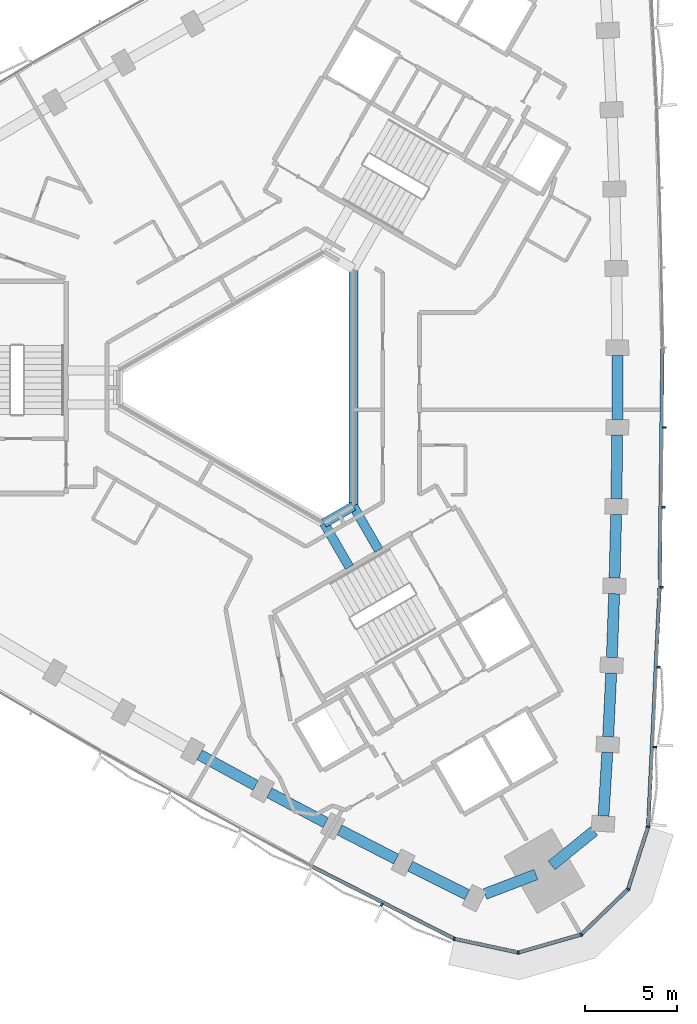
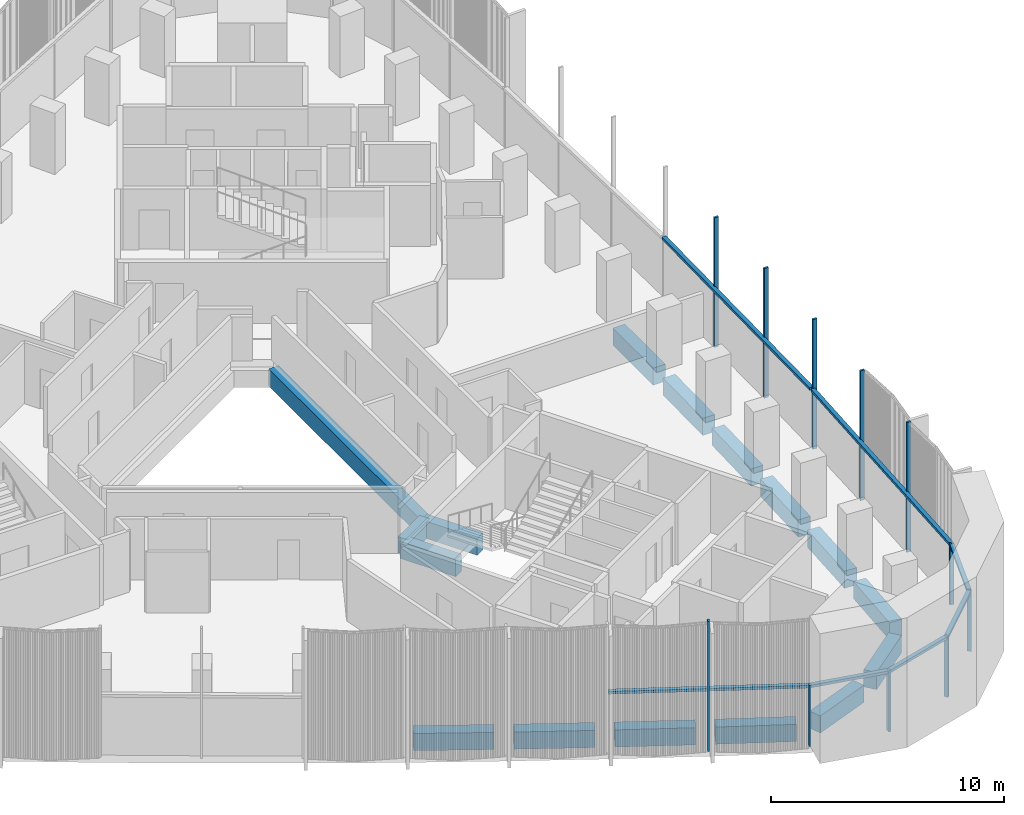
# One storey, part 3 of 14: 18 members, 16 beams, 2 elements without a shape of their own.
"""IFC4 building model written with IfcOpenShell, lengths in metres."""

from ifc_helpers import new_model, si_unit, direction, frame, origin, origin_2d, place, context, subcontext, project, spatial, rectangle, extrude, material, material_profile, profile_set, type_object, element, aggregate, save


model = new_model("IFC4")

# Units and contexts
model_context = context("Model", 3, precision=1e-05, world=origin(), true_north=direction((0.0, 1.0)))
body_context = subcontext(model_context, "Body", "Model", "MODEL_VIEW")
ifc_project = project(units=[si_unit("LENGTHUNIT", "METRE"), si_unit("AREAUNIT", "SQUARE_METRE"), si_unit("VOLUMEUNIT", "CUBIC_METRE"), si_unit("PLANEANGLEUNIT", "RADIAN"), si_unit("MASSUNIT", "GRAM", prefix="KILO")], contexts=[model_context])

# Site, building, storey
site_placement = place(None, origin())
site = spatial("IfcSite", under=ifc_project, at=site_placement, CompositionType="ELEMENT")
building_placement = place(site_placement, origin())
building = spatial("IfcBuilding", under=site, at=building_placement, Name="Tamra Quay Hotel Tower", CompositionType="ELEMENT")
storey_placement = place(building_placement, frame((0.0, 0.0, 150.39990234375)))
storey = spatial("IfcBuildingStorey", under=building, at=storey_placement, Name="L37", CompositionType="ELEMENT", Elevation=150.39990234375)

# Beams
ifc_material_1 = material(Name="Concrete M60", Category="concrete")
ifc_material_profile_1 = material_profile(ifc_material_1, rectangle(XDim=0.5, YDim=0.89990234375, at=origin_2d()), Name="ATRIUM EDGE BEAM RC 500x900")
ifc_profile_set_1 = profile_set([ifc_material_profile_1], Name="Concrete M60")
beam_type_1 = type_object("IfcBeamType", Name="ATRIUM EDGE BEAM RC 500x900", PredefinedType="BEAM", material=ifc_profile_set_1)
beam_1_placement = place(storey_placement, frame((4.800048828125, 6.46630859375, -0.849853515625), z_axis=(0.0, -1.0, 0.0), x_axis=(1.0, 0.0, 0.0)))
element("IfcBeam", 1, at=beam_1_placement, inside=storey, type_object=beam_type_1, Name="BM-AB0-L37", PredefinedType="BEAM", context=body_context, shape_type="SweptSolid", body=[
    extrude(rectangle(XDim=0.5, YDim=0.89990234375, at=origin_2d()), origin(), (0.0, 0.0, 1.0), 12.9326171875),
])
beam_2_placement = place(storey_placement, frame((4.800048828125, -6.46630859375, -0.849853515625), z_axis=(-0.86602275259, -0.500004591975, 0.0), x_axis=(0.500004591975, -0.86602275259, 0.0)))
element("IfcBeam", 2, at=beam_2_placement, inside=storey, type_object=beam_type_1, Name="BM-AB1-L37", PredefinedType="BEAM", context=body_context, shape_type="SweptSolid", body=[
    extrude(rectangle(XDim=0.5, YDim=0.89990234375, at=origin_2d()), origin(), (0.0, 0.0, 1.0), 1.84765625),
])
ifc_material_profile_2 = material_profile(ifc_material_1, rectangle(XDim=0.5, YDim=0.89990234375, at=origin_2d()), Name="ATRIUM TIE BEAM RC 500x900")
ifc_profile_set_2 = profile_set([ifc_material_profile_2], Name="Concrete M60")
beam_type_2 = type_object("IfcBeamType", Name="ATRIUM TIE BEAM RC 500x900", PredefinedType="BEAM", material=ifc_profile_set_2)
for number, where, z_axis, x_axis, name in (
    (3, (4.800048828125, -6.46630859375, -0.849853515625), (0.500008091576, -0.86602073206, 0.0), (0.86602073206, 0.500008091576, 0.0), "BM-TIE-1-L37"),
    (4, (3.199951171875, -7.39013671875, -0.849853515625), (0.500008091576, -0.86602073206, 0.0), (0.86602073206, 0.500008091576, 0.0), "BM-TIE-2-L37"),
):
    element("IfcBeam", number, at=place(storey_placement, frame(where, z_axis=z_axis, x_axis=x_axis)), inside=storey, type_object=beam_type_2, Name=name, PredefinedType="BEAM", context=body_context, shape_type="SweptSolid", body=[
        extrude(rectangle(XDim=0.5, YDim=0.89990234375, at=origin_2d()), origin(), (0.0, 0.0, 1.0), 2.76220703125),
    ])

# Curtain wall, members
ifc_material_2 = material(Name="Aluminium 6063 anodised dark grey", Category="aluminium")
curtain_wall_type_1 = type_object("IfcCurtainWallType", Name="CW1 CURTAIN WALL", PredefinedType="NOTDEFINED", material=ifc_material_2)
curtain_wall_1_placement = place(storey_placement, origin())
curtain_wall_1 = element("IfcCurtainWall", 5, at=curtain_wall_1_placement, inside=storey, type_object=curtain_wall_type_1, Name="CW1 east face L37", PredefinedType="NOTDEFINED")
ifc_material_profile_3 = material_profile(ifc_material_2, rectangle(XDim=0.199951171875, YDim=0.10009765625, at=origin_2d()), Name="MULLION 100X200")
ifc_profile_set_3 = profile_set([ifc_material_profile_3], Name="Aluminium 6063 anodised dark grey")
member_type_1 = type_object("IfcMemberType", Name="MULLION CW1 Z3", PredefinedType="MULLION", material=ifc_profile_set_3)
member_1_placement = place(storey_placement, frame((20.852294921875, -23.918212890625, 0.0), z_axis=(0.0, 0.0, 1.0), x_axis=(0.982883217826, -0.184229693905, 0.0)))
member_1 = element("IfcMember", 6, at=member_1_placement, type_object=member_type_1, Name="CW1 mullion L37.E.1", PredefinedType="MULLION", context=body_context, shape_type="SweptSolid", body=[
    extrude(rectangle(XDim=0.199951171875, YDim=0.10009765625, at=origin_2d()), origin(), (0.0, 0.0, 1.0), 3.2001953125),
])
member_2_placement = place(storey_placement, frame((21.211669921875, -19.57958984375, 0.0), z_axis=(0.0, 0.0, 1.0), x_axis=(0.99855735675, -0.053695486602, 0.0)))
member_2 = element("IfcMember", 7, at=member_2_placement, type_object=member_type_1, Name="CW1 mullion L37.E.2", PredefinedType="MULLION", context=body_context, shape_type="SweptSolid", body=[
    extrude(rectangle(XDim=0.199951171875, YDim=0.10009765625, at=origin_2d()), origin(), (0.0, 0.0, 1.0), 6.800048828125),
])
member_3_placement = place(storey_placement, frame((21.41943359375, -15.232421875, 0.0), z_axis=(0.0, 0.0, 1.0), x_axis=(0.99912611643, -0.041797170557, 0.0)))
member_3 = element("IfcMember", 8, at=member_3_placement, type_object=member_type_1, Name="CW1 mullion L37.E.3", PredefinedType="MULLION", context=body_context, shape_type="SweptSolid", body=[
    extrude(rectangle(XDim=0.199951171875, YDim=0.10009765625, at=origin_2d()), origin(), (0.0, 0.0, 1.0), 6.800048828125),
])
member_4_placement = place(storey_placement, frame((21.575439453125, -10.88134765625, 0.0), z_axis=(0.0, 0.0, 1.0), x_axis=(0.999553757047, -0.029871169599, 0.0)))
member_4 = element("IfcMember", 9, at=member_4_placement, type_object=member_type_1, Name="CW1 mullion L37.E.4", PredefinedType="MULLION", context=body_context, shape_type="SweptSolid", body=[
    extrude(rectangle(XDim=0.199951171875, YDim=0.10009765625, at=origin_2d()), origin(), (0.0, 0.0, 1.0), 6.800048828125),
])
member_5_placement = place(storey_placement, frame((21.679443359375, -6.52880859375, 0.0), z_axis=(0.0, 0.0, 1.0), x_axis=(0.999839304234, -0.017926675875, 0.0)))
member_5 = element("IfcMember", 10, at=member_5_placement, type_object=member_type_1, Name="CW1 mullion L37.E.5", PredefinedType="MULLION", context=body_context, shape_type="SweptSolid", body=[
    extrude(rectangle(XDim=0.199951171875, YDim=0.10009765625, at=origin_2d()), origin(), (0.0, 0.0, 1.0), 6.800048828125),
])
member_6_placement = place(storey_placement, frame((21.7314453125, -2.177001953125, 0.0), z_axis=(0.0, 0.0, 1.0), x_axis=(0.999982128389, -0.005978536749, 0.0)))
member_6 = element("IfcMember", 11, at=member_6_placement, type_object=member_type_1, Name="CW1 mullion L37.E.6", PredefinedType="MULLION", context=body_context, shape_type="SweptSolid", body=[
    extrude(rectangle(XDim=0.199951171875, YDim=0.10009765625, at=origin_2d()), origin(), (0.0, 0.0, 1.0), 6.800048828125),
])

curtain_wall_type_2 = type_object("IfcCurtainWallType", Name="CW3 CURTAIN WALL", PredefinedType="NOTDEFINED", material=ifc_material_2)
curtain_wall_2_placement = place(storey_placement, origin())
curtain_wall_2 = element("IfcCurtainWall", 12, at=curtain_wall_2_placement, inside=storey, type_object=curtain_wall_type_2, Name="CW3 south-west face L37", PredefinedType="NOTDEFINED")
ifc_material_profile_4 = material_profile(ifc_material_2, rectangle(XDim=0.199951171875, YDim=0.10009765625, at=origin_2d()), Name="MULLION 100X200")
ifc_profile_set_4 = profile_set([ifc_material_profile_4], Name="Aluminium 6063 anodised dark grey")
member_type_2 = type_object("IfcMemberType", Name="MULLION CW3 Z3", PredefinedType="MULLION", material=ifc_profile_set_4)
member_7_placement = place(storey_placement, frame((6.3505859375, -28.15966796875, 0.0), z_axis=(0.0, 0.0, 1.0), x_axis=(-0.452777022909, -0.891623781382, 0.0)))
member_7 = element("IfcMember", 13, at=member_7_placement, type_object=member_type_2, Name="CW3 mullion L37.SW.11", PredefinedType="MULLION", context=body_context, shape_type="SweptSolid", body=[
    extrude(rectangle(XDim=0.199951171875, YDim=0.10009765625, at=origin_2d()), origin(), (0.0, 0.0, 1.0), 6.800048828125),
])
member_8_placement = place(storey_placement, frame((10.28759765625, -30.017578125, 0.0), z_axis=(0.0, 0.0, 1.0), x_axis=(-0.33189401386, -0.943316682543, 0.0)))
member_8 = element("IfcMember", 14, at=member_8_placement, type_object=member_type_2, Name="CW3 mullion L37.SW.12", PredefinedType="MULLION", context=body_context, shape_type="SweptSolid", body=[
    extrude(rectangle(XDim=0.199951171875, YDim=0.10009765625, at=origin_2d()), origin(), (0.0, 0.0, 1.0), 3.2001953125),
])
member_9_placement = place(storey_placement, frame((13.772216796875, -30.770263671875, 0.0), z_axis=(0.0, 0.0, 1.0), x_axis=(0.032727311619, -0.99946431806, 0.0)))
member_9 = element("IfcMember", 15, at=member_9_placement, type_object=member_type_2, Name="CW3 mullion L37.SW.13", PredefinedType="MULLION", context=body_context, shape_type="SweptSolid", body=[
    extrude(rectangle(XDim=0.199951171875, YDim=0.10009765625, at=origin_2d()), origin(), (0.0, 0.0, 1.0), 3.2001953125),
])
member_10_placement = place(storey_placement, frame((17.199951171875, -29.791259765625, 0.0), z_axis=(0.0, 0.0, 1.0), x_axis=(0.5, -0.866025403784, 0.0)))
member_10 = element("IfcMember", 16, at=member_10_placement, type_object=member_type_2, Name="CW3 mullion L37.SW.14", PredefinedType="MULLION", context=body_context, shape_type="SweptSolid", body=[
    extrude(rectangle(XDim=0.199951171875, YDim=0.10009765625, at=origin_2d()), origin(), (0.0, 0.0, 1.0), 3.2001953125),
])
member_11_placement = place(storey_placement, frame((19.76171875, -27.312255859375, 0.0), z_axis=(0.0, 0.0, 1.0), x_axis=(0.849197833806, -0.52807484229, 0.0)))
member_11 = element("IfcMember", 17, at=member_11_placement, type_object=member_type_2, Name="CW3 mullion L37.SW.15", PredefinedType="MULLION", context=body_context, shape_type="SweptSolid", body=[
    extrude(rectangle(XDim=0.199951171875, YDim=0.10009765625, at=origin_2d()), origin(), (0.0, 0.0, 1.0), 3.2001953125),
])

# Beams
ifc_material_profile_5 = material_profile(ifc_material_1, rectangle(XDim=0.60009765625, YDim=0.89990234375, at=origin_2d()), Name="SPANDREL BEAM RC 600x900")
ifc_profile_set_5 = profile_set([ifc_material_profile_5], Name="Concrete M60")
beam_type_3 = type_object("IfcBeamType", Name="SPANDREL BEAM RC 600x900", PredefinedType="SPANDREL", material=ifc_profile_set_5)
beam_3_placement = place(storey_placement, frame((18.422119140625, -23.3330078125, -0.849853515625), z_axis=(0.059620475238, 0.998221117254, 0.0), x_axis=(-0.998221117254, 0.059620475238, 0.0)))
element("IfcBeam", 18, at=beam_3_placement, inside=storey, type_object=beam_type_3, Name="BM-SP3-000-L37", PredefinedType="SPANDREL", context=body_context, shape_type="SweptSolid", body=[
    extrude(rectangle(XDim=0.60009765625, YDim=0.89990234375, at=origin_2d()), origin(), (0.0, 0.0, 1.0), 3.472412109375),
])
beam_4_placement = place(storey_placement, frame((18.6748046875, -19.017822265625, -0.849853515625), z_axis=(0.047732145575, 0.998860171535, 0.0), x_axis=(-0.998860171535, 0.047732145575, 0.0)))
element("IfcBeam", 19, at=beam_4_placement, inside=storey, type_object=beam_type_3, Name="BM-SP3-001-L37", PredefinedType="SPANDREL", context=body_context, shape_type="SweptSolid", body=[
    extrude(rectangle(XDim=0.60009765625, YDim=0.89990234375, at=origin_2d()), origin(), (0.0, 0.0, 1.0), 3.472900390625),
])
beam_5_placement = place(storey_placement, frame((18.876220703125, -14.69970703125, -0.849853515625), z_axis=(0.035786826945, 0.999359446354, 0.0), x_axis=(-0.999359446354, 0.035786826945, 0.0)))
element("IfcBeam", 20, at=beam_5_placement, inside=storey, type_object=beam_type_3, Name="BM-SP3-002-L37", PredefinedType="SPANDREL", context=body_context, shape_type="SweptSolid", body=[
    extrude(rectangle(XDim=0.60009765625, YDim=0.89990234375, at=origin_2d()), origin(), (0.0, 0.0, 1.0), 3.472412109375),
])
beam_6_placement = place(storey_placement, frame((19.02587890625, -10.3798828125, -0.849853515625), z_axis=(0.023906514803, 0.999714198434, 0.0), x_axis=(-0.999714198434, 0.023906514803, 0.0)))
element("IfcBeam", 21, at=beam_6_placement, inside=storey, type_object=beam_type_3, Name="BM-SP3-003-L37", PredefinedType="SPANDREL", context=body_context, shape_type="SweptSolid", body=[
    extrude(rectangle(XDim=0.60009765625, YDim=0.89990234375, at=origin_2d()), origin(), (0.0, 0.0, 1.0), 3.47216796875),
])
beam_7_placement = place(storey_placement, frame((19.124267578125, -6.05859375, -0.849853515625), z_axis=(0.011951617666, 0.999928576867, 0.0), x_axis=(-0.999928576867, 0.011951617666, 0.0)))
element("IfcBeam", 22, at=beam_7_placement, inside=storey, type_object=beam_type_3, Name="BM-SP3-004-L37", PredefinedType="SPANDREL", context=body_context, shape_type="SweptSolid", body=[
    extrude(rectangle(XDim=0.60009765625, YDim=0.89990234375, at=origin_2d()), origin(), (0.0, 0.0, 1.0), 3.47265625),
])
beam_8_placement = place(storey_placement, frame((19.1708984375, -1.736083984375, -0.849853515625), z_axis=(0.0, 1.0, 0.0), x_axis=(-1.0, 0.0, 0.0)))
element("IfcBeam", 23, at=beam_8_placement, inside=storey, type_object=beam_type_3, Name="BM-SP3-005-L37", PredefinedType="SPANDREL", context=body_context, shape_type="SweptSolid", body=[
    extrude(rectangle(XDim=0.60009765625, YDim=0.89990234375, at=origin_2d()), origin(), (0.0, 0.0, 1.0), 3.47216796875),
])
for number, where, z_axis, x_axis, name in (
    (24, (-3.571533203125, -20.003173828125, -0.849853515625), (0.877731617539, -0.479152593202, 0.0), (0.479152593202, 0.877731617539, 0.0), "BM-SP3-033-L37"),
    (25, (0.224609375, -22.06982421875, -0.849853515625), (0.883411391477, -0.468598243071, 0.0), (0.468598243071, 0.883411391477, 0.0), "BM-SP3-034-L37"),
):
    element("IfcBeam", number, at=place(storey_placement, frame(where, z_axis=z_axis, x_axis=x_axis)), inside=storey, type_object=beam_type_3, Name=name, PredefinedType="SPANDREL", context=body_context, shape_type="SweptSolid", body=[
        extrude(rectangle(XDim=0.60009765625, YDim=0.89990234375, at=origin_2d()), origin(), (0.0, 0.0, 1.0), 3.472412109375),
    ])
beam_9_placement = place(storey_placement, frame((4.04541015625, -24.0908203125, -0.849853515625), z_axis=(0.888919913451, -0.458062645792, 0.0), x_axis=(0.458062645792, 0.888919913451, 0.0)))
element("IfcBeam", 26, at=beam_9_placement, inside=storey, type_object=beam_type_3, Name="BM-SP3-035-L37", PredefinedType="SPANDREL", context=body_context, shape_type="SweptSolid", body=[
    extrude(rectangle(XDim=0.60009765625, YDim=0.89990234375, at=origin_2d()), origin(), (0.0, 0.0, 1.0), 3.472900390625),
])
beam_10_placement = place(storey_placement, frame((7.890380859375, -26.066650390625, -0.849853515625), z_axis=(0.894314670292, -0.447438566174, 0.0), x_axis=(0.447438566174, 0.894314670292, 0.0)))
element("IfcBeam", 27, at=beam_10_placement, inside=storey, type_object=beam_type_3, Name="BM-SP3-036-L37", PredefinedType="SPANDREL", context=body_context, shape_type="SweptSolid", body=[
    extrude(rectangle(XDim=0.60009765625, YDim=0.89990234375, at=origin_2d()), origin(), (0.0, 0.0, 1.0), 3.472412109375),
])
beam_11_placement = place(storey_placement, frame((11.960693359375, -27.586181640625, -0.849853515625), z_axis=(0.933527198951, 0.358506581278, 0.0), x_axis=(-0.358506581278, 0.933527198951, 0.0)))
element("IfcBeam", 28, at=beam_11_placement, inside=storey, type_object=beam_type_3, Name="BM-SP3-037-L37", PredefinedType="SPANDREL", context=body_context, shape_type="SweptSolid", body=[
    extrude(rectangle(XDim=0.60009765625, YDim=0.89990234375, at=origin_2d()), origin(), (0.0, 0.0, 1.0), 2.97802734375),
])
beam_12_placement = place(storey_placement, frame((15.595703125, -26.02490234375, -0.849853515625), z_axis=(0.777183767602, 0.629273701482, 0.0), x_axis=(-0.629273701482, 0.777183767602, 0.0)))
element("IfcBeam", 29, at=beam_12_placement, inside=storey, type_object=beam_type_3, Name="BM-SP3-038-L37", PredefinedType="SPANDREL", context=body_context, shape_type="SweptSolid", body=[
    extrude(rectangle(XDim=0.60009765625, YDim=0.89990234375, at=origin_2d()), origin(), (0.0, 0.0, 1.0), 2.977783203125),
])

# Member
ifc_material_profile_6 = material_profile(ifc_material_2, rectangle(XDim=0.199951171875, YDim=0.139892578125, at=origin_2d()), Name="TRANSOM 200X140")
ifc_profile_set_6 = profile_set([ifc_material_profile_6], Name="Aluminium 6063 anodised dark grey")
member_type_3 = type_object("IfcMemberType", Name="TRANSOM CW1 Z3", PredefinedType="USERDEFINED", material=ifc_profile_set_6)
member_12_placement = place(storey_placement, frame((20.855224609375, -23.868408203125, 3.130126953125), z_axis=(0.047736167082, 0.998859979353, 0.0), x_axis=(-0.998859979353, 0.047736167082, 0.0)))
member_12 = element("IfcMember", 30, at=member_12_placement, type_object=member_type_3, Name="CW1 transom L37.E.1", ObjectType="TRANSOM", PredefinedType="USERDEFINED", context=body_context, shape_type="SweptSolid", body=[
    extrude(rectangle(XDim=0.199951171875, YDim=0.139892578125, at=origin_2d()), origin(), (0.0, 0.0, 1.0), 12.95458984375),
])

member_13_placement = place(storey_placement, frame((21.476806640625, -10.828369140625, 3.130126953125), z_axis=(0.011947434123, 0.999928626862, 0.0), x_axis=(-0.999928626862, 0.011947434123, 0.0)))
member_13 = element("IfcMember", 31, at=member_13_placement, type_object=member_type_3, Name="CW1 transom L37.E.4", ObjectType="TRANSOM", PredefinedType="USERDEFINED", context=body_context, shape_type="SweptSolid", body=[
    extrude(rectangle(XDim=0.199951171875, YDim=0.139892578125, at=origin_2d()), origin(), (0.0, 0.0, 1.0), 12.95556640625),
])

aggregate(curtain_wall_1, [member_1, member_12, member_2, member_3, member_4, member_13, member_5, member_6])

ifc_material_profile_7 = material_profile(ifc_material_2, rectangle(XDim=0.199951171875, YDim=0.139892578125, at=origin_2d()), Name="TRANSOM 200X140")
ifc_profile_set_7 = profile_set([ifc_material_profile_7], Name="Aluminium 6063 anodised dark grey")
member_type_4 = type_object("IfcMemberType", Name="TRANSOM CW3 Z3", PredefinedType="USERDEFINED", material=ifc_profile_set_7)
member_14_placement = place(storey_placement, frame((2.57275390625, -26.10009765625, 3.130126953125), z_axis=(0.891611423386, -0.452801357868, 0.0), x_axis=(0.452801357868, 0.891611423386, 0.0)))
member_14 = element("IfcMember", 32, at=member_14_placement, type_object=member_type_4, Name="CW3 transom L37.SW.10", ObjectType="TRANSOM", PredefinedType="USERDEFINED", context=body_context, shape_type="SweptSolid", body=[
    extrude(rectangle(XDim=0.199951171875, YDim=0.139892578125, at=origin_2d()), origin(), (0.0, 0.0, 1.0), 8.6025390625),
])

member_15_placement = place(storey_placement, frame((10.33642578125, -30.028076171875, 3.130126953125), z_axis=(0.977466057655, -0.211092648218, 0.0), x_axis=(0.211092648218, 0.977466057655, 0.0)))
member_15 = element("IfcMember", 33, at=member_15_placement, type_object=member_type_4, Name="CW3 transom L37.SW.12", ObjectType="TRANSOM", PredefinedType="USERDEFINED", context=body_context, shape_type="SweptSolid", body=[
    extrude(rectangle(XDim=0.199951171875, YDim=0.139892578125, at=origin_2d()), origin(), (0.0, 0.0, 1.0), 3.465087890625),
])

member_16_placement = place(storey_placement, frame((13.8203125, -30.75634765625, 3.130126953125), z_axis=(0.961558507518, 0.274600139513, 0.0), x_axis=(-0.274600139513, 0.961558507518, 0.0)))
member_16 = element("IfcMember", 34, at=member_16_placement, type_object=member_type_4, Name="CW3 transom L37.SW.13", ObjectType="TRANSOM", PredefinedType="USERDEFINED", context=body_context, shape_type="SweptSolid", body=[
    extrude(rectangle(XDim=0.199951171875, YDim=0.139892578125, at=origin_2d()), origin(), (0.0, 0.0, 1.0), 3.46484375),
])

member_17_placement = place(storey_placement, frame((17.23583984375, -29.756591796875, 3.130126953125), z_axis=(0.718602141767, 0.695421427516, 0.0), x_axis=(-0.695421427516, 0.718602141767, 0.0)))
member_17 = element("IfcMember", 35, at=member_17_placement, type_object=member_type_4, Name="CW3 transom L37.SW.14", ObjectType="TRANSOM", PredefinedType="USERDEFINED", context=body_context, shape_type="SweptSolid", body=[
    extrude(rectangle(XDim=0.199951171875, YDim=0.139892578125, at=origin_2d()), origin(), (0.0, 0.0, 1.0), 3.465087890625),
])

member_18_placement = place(storey_placement, frame((19.77685546875, -27.2646484375, 3.130126953125), z_axis=(0.305936194626, 0.952052017916, 0.0), x_axis=(-0.952052017916, 0.305936194626, 0.0)))
member_18 = element("IfcMember", 36, at=member_18_placement, type_object=member_type_4, Name="CW3 transom L37.SW.15", ObjectType="TRANSOM", PredefinedType="USERDEFINED", context=body_context, shape_type="SweptSolid", body=[
    extrude(rectangle(XDim=0.199951171875, YDim=0.139892578125, at=origin_2d()), origin(), (0.0, 0.0, 1.0), 3.465087890625),
])

aggregate(curtain_wall_2, [member_14, member_7, member_8, member_15, member_9, member_16, member_10, member_17, member_11, member_18])

save(model, "model.ifc")
